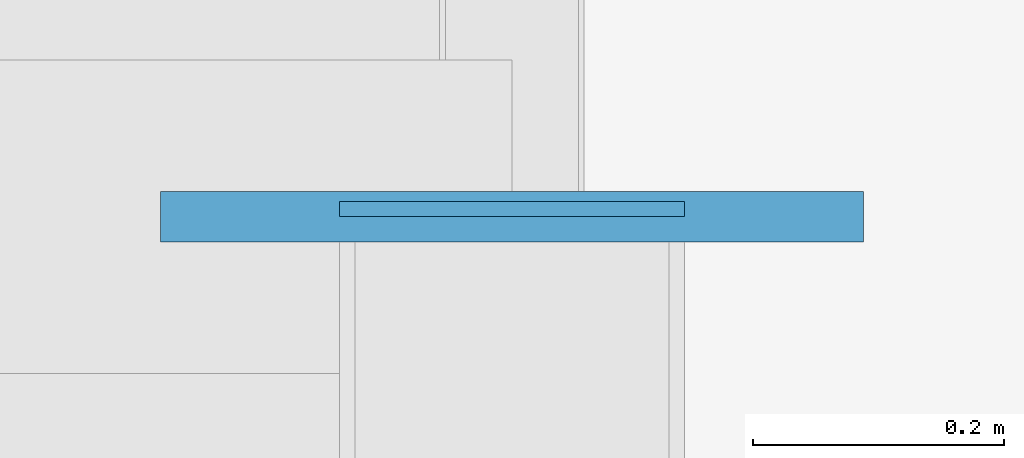
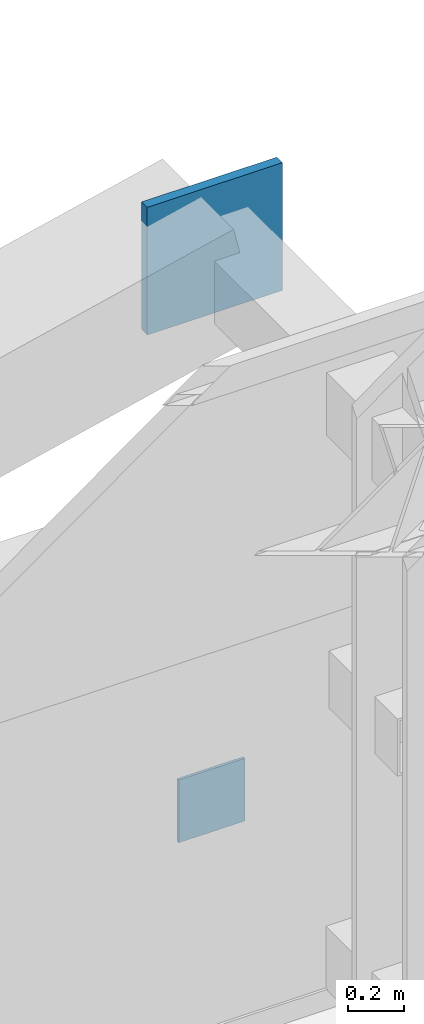
# One storey, part 47 of 56: 2 plates.
"""IFC4 building model written with IfcOpenShell, lengths in metres."""

from ifc_helpers import new_model, si_unit, direction, frame, origin, origin_2d, place, context, subcontext, project, spatial, rectangle, extrude, source, transform, mapped, material, layer, layer_set, type_object, element, save


model = new_model("IFC4")

# Units and contexts
model_context = context("Model", 3, precision=1e-05, world=origin(), true_north=direction((0.0, 1.0)))
body_context = subcontext(model_context, "Body", "Model", "MODEL_VIEW")
ifc_project = project(units=[si_unit("LENGTHUNIT", "METRE"), si_unit("AREAUNIT", "SQUARE_METRE"), si_unit("VOLUMEUNIT", "CUBIC_METRE"), si_unit("PLANEANGLEUNIT", "RADIAN"), si_unit("MASSUNIT", "GRAM", prefix="KILO")], contexts=[model_context])

# Site, building, storey
site_placement = place(None, origin())
site = spatial("IfcSite", under=ifc_project, at=site_placement, CompositionType="ELEMENT")
building_placement = place(site_placement, origin())
building = spatial("IfcBuilding", under=site, at=building_placement, Name="Taldren Reach Tower", CompositionType="ELEMENT")
storey_placement = place(building_placement, frame((0.0, 0.0, 16.800048828125)))
storey = spatial("IfcBuildingStorey", under=building, at=storey_placement, Name="L04", CompositionType="ELEMENT", Elevation=16.800048828125)

# Plates
ifc_material = material(Name="Steel Gr 450 (C450L0)", Category="steel")
ifc_layer_1 = layer(ifc_material, 0.0400390625)
ifc_layer_set_1 = layer_set([ifc_layer_1], Name="Steel Gr 450 (C450L0)")
plate_type_1 = type_object("IfcPlateType", Name="PL-GUSSET-40", PredefinedType="SHEET", material=ifc_layer_set_1)
shared_shape_1 = source(origin(), body_context, "Body", "SweptSolid", [
    extrude(rectangle(XDim=0.56005859375, YDim=0.0400390625, at=origin_2d()), origin(), (0.0, 0.0, 1.0), 0.56005859375),
])
plate_1_placement = place(storey_placement, frame((61.199951171875, 39.39990234375, 2.369873046875), z_axis=(0.0, 0.0, 1.0), x_axis=(1.0, 0.0, 0.0)))
element("IfcPlate", 1, at=plate_1_placement, inside=storey, type_object=plate_type_1, Name="Exoskeleton star-node gusset plate B1-N6 L04", PredefinedType="SHEET", context=body_context, shape_type="MappedRepresentation", body=[
    mapped(shared_shape_1, transform((0.0, 0.0, 0.0), scale=1.0)),
])
ifc_layer_2 = layer(ifc_material, 0.011962890625)
ifc_layer_set_2 = layer_set([ifc_layer_2], Name="Steel Gr 450 (C450L0)")
plate_type_2 = type_object("IfcPlateType", Name="PL-CAP-275", PredefinedType="SHEET", material=ifc_layer_set_2)
shared_shape_2 = source(origin(), body_context, "Body", "SweptSolid", [
    extrude(rectangle(XDim=0.27490234375, YDim=0.011962890625, at=origin_2d()), origin(), (0.0, 0.0, 1.0), 0.27490234375),
])
plate_2_placement = place(storey_placement, frame((61.199951171875, 39.406005859375, 0.08251953125), z_axis=(0.0, 0.0, 1.0), x_axis=(1.0, 0.0, 0.0)))
element("IfcPlate", 2, at=plate_2_placement, inside=storey, type_object=plate_type_2, Name="Tie strut end cap plate B1-N6 L04", PredefinedType="SHEET", context=body_context, shape_type="MappedRepresentation", body=[
    mapped(shared_shape_2, transform((0.0, 0.0, 0.0), scale=1.0)),
])

save(model, "model.ifc")
